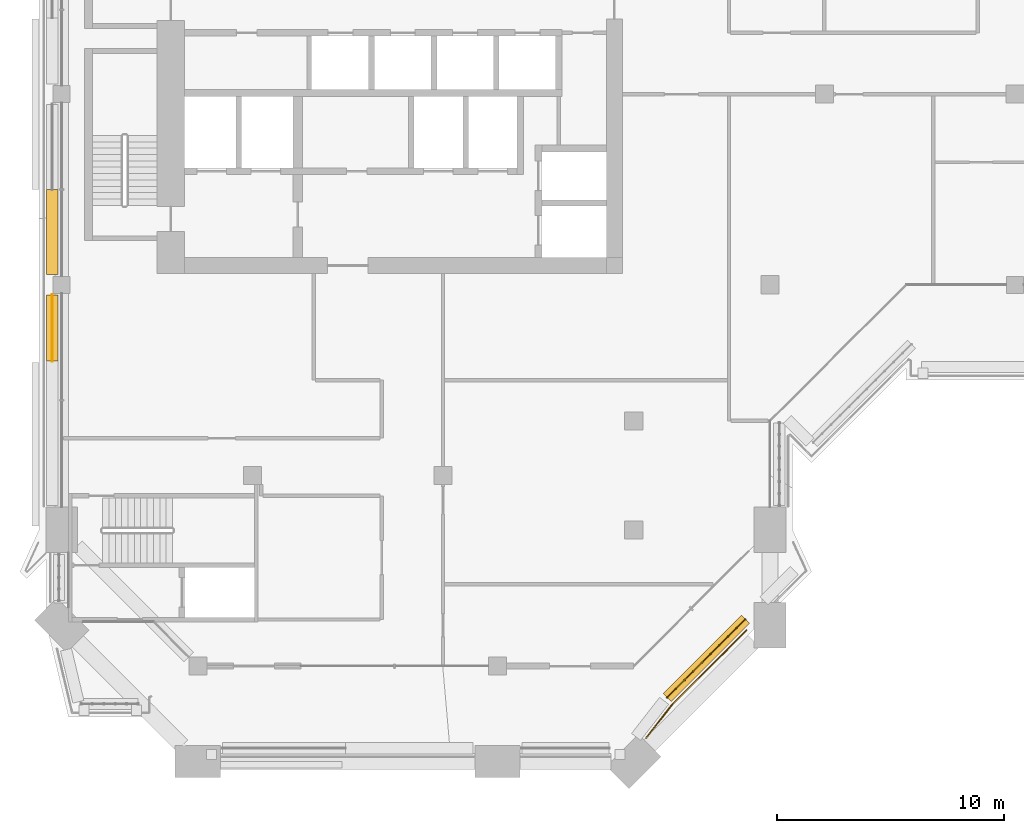
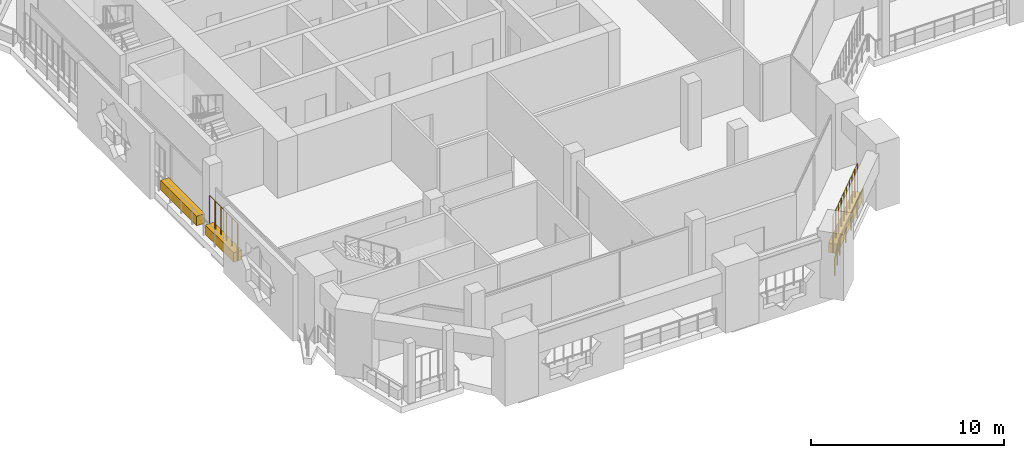
# One storey, part 16 of 22: 3 coverings, 3 railings.
"""IFC4 building model written with IfcOpenShell, lengths in metres."""

from ifc_helpers import new_model, si_unit, direction, frame, origin, origin_2d, place, context, subcontext, project, spatial, rectangle, circle, extrude, material, material_profile, profile_set, type_object, element, save


model = new_model("IFC4")

# Units and contexts
model_context = context("Model", 3, precision=1e-05, world=origin(), true_north=direction((0.0, 1.0)))
body_context = subcontext(model_context, "Body", "Model", "MODEL_VIEW")
ifc_project = project(units=[si_unit("LENGTHUNIT", "METRE"), si_unit("AREAUNIT", "SQUARE_METRE"), si_unit("VOLUMEUNIT", "CUBIC_METRE"), si_unit("PLANEANGLEUNIT", "RADIAN"), si_unit("MASSUNIT", "GRAM", prefix="KILO")], contexts=[model_context])

# Site, building, storey
site_placement = place(None, origin())
site = spatial("IfcSite", under=ifc_project, at=site_placement, CompositionType="ELEMENT")
building_placement = place(site_placement, origin())
building = spatial("IfcBuilding", under=site, at=building_placement, Name="Kawkab Arch Medical Tower", CompositionType="ELEMENT")
storey_placement = place(building_placement, frame((0.0, 0.0, 294.39990234375)))
storey = spatial("IfcBuildingStorey", under=building, at=storey_placement, Name="L68", CompositionType="ELEMENT", Elevation=294.39990234375)

# Railing
ifc_material_1 = material(Name="Bronze anodised aluminium guard", Category="aluminium")
railing_type_1 = type_object("IfcRailingType", Name="Loggia and terrace guard 1100", PredefinedType="GUARDRAIL", material=ifc_material_1)
railing_1_placement = place(storey_placement, frame((30.169921875, -40.423095703125, 0.0)))
element("IfcRailing", 1, at=railing_1_placement, inside=storey, type_object=railing_type_1, Name="Guard L68.LOG-01.1.6", PredefinedType="GUARDRAIL", context=body_context, shape_type="SweptSolid", body=[
    extrude(circle(Radius=0.02392578125, at=origin_2d()), frame((0.0, 0.0, 1.076171875), z_axis=(-0.707106781187, -0.707106781187, 0.0), x_axis=(0.707106781187, -0.707106781187, 0.0)), (0.0, 0.0, 1.0), 4.641357421875),
    extrude(circle(Radius=0.02392578125, at=origin_2d()), frame((-3.281982421875, -3.281982421875, 1.076171875), z_axis=(-0.614131825568, -0.789203459714, 0.0), x_axis=(0.789203459714, -0.614131825568, 0.0)), (0.0, 0.0, 1.0), 1.856201171875),
    extrude(circle(Radius=0.02099609375, at=origin_2d()), origin(), (0.0, 0.0, 1.0), 1.052001953125),
    extrude(circle(Radius=0.02099609375, at=origin_2d()), frame((-0.820556640625, -0.820556640625, 0.0)), (0.0, 0.0, 1.0), 1.052001953125),
    extrude(circle(Radius=0.02099609375, at=origin_2d()), frame((-1.64111328125, -1.64111328125, 0.0)), (0.0, 0.0, 1.0), 1.052001953125),
    extrude(circle(Radius=0.02099609375, at=origin_2d()), frame((-2.46142578125, -2.46142578125, 0.0)), (0.0, 0.0, 1.0), 1.052001953125),
    extrude(circle(Radius=0.02099609375, at=origin_2d()), frame((-3.281982421875, -3.281982421875, 0.0)), (0.0, 0.0, 1.0), 1.052001953125),
    extrude(circle(Radius=0.02099609375, at=origin_2d()), frame((-3.85205078125, -4.014404296875, 0.0)), (0.0, 0.0, 1.0), 1.052001953125),
    extrude(circle(Radius=0.02099609375, at=origin_2d()), frame((-4.421875, -4.746826171875, 0.0)), (0.0, 0.0, 1.0), 1.052001953125),
])

# Coverings
ifc_material_2 = material(Name="Planting soil in a precast trough", Category="concrete")
ifc_material_profile = material_profile(ifc_material_2, rectangle(XDim=0.5, YDim=0.60009765625, at=origin_2d()), Name="Trough 500x600")
ifc_profile_set = profile_set([ifc_material_profile], Name="Planting soil in a precast trough")
covering_type = type_object("IfcCoveringType", Name="Planter trough 500 x 600", PredefinedType="USERDEFINED", material=ifc_profile_set)
covering_1_placement = place(storey_placement, frame((-0.419921875, -28.56298828125, 0.300048828125), z_axis=(0.0, 1.0, 0.0), x_axis=(-1.0, 0.0, 0.0)))
element("IfcCovering", 2, at=covering_1_placement, inside=storey, type_object=covering_type, Name="Planter L68.LOG-01-01.5", ObjectType="PLANTER", PredefinedType="USERDEFINED", context=body_context, shape_type="SweptSolid", body=[
    extrude(rectangle(XDim=0.5, YDim=0.60009765625, at=origin_2d()), origin(), (0.0, 0.0, 1.0), 2.909912109375),
])
covering_2_placement = place(storey_placement, frame((-0.419921875, -24.7470703125, 0.300048828125), z_axis=(0.0, 1.0, 0.0), x_axis=(-1.0, 0.0, 0.0)))
element("IfcCovering", 3, at=covering_2_placement, inside=storey, type_object=covering_type, Name="Planter L68.LOG-01-01.6", ObjectType="PLANTER", PredefinedType="USERDEFINED", context=body_context, shape_type="SweptSolid", body=[
    extrude(rectangle(XDim=0.5, YDim=0.60009765625, at=origin_2d()), origin(), (0.0, 0.0, 1.0), 3.7470703125),
])
covering_3_placement = place(storey_placement, frame((30.1201171875, -39.93603515625, 0.300048828125), z_axis=(-0.707106781187, -0.707106781187, 0.0), x_axis=(0.707106781187, -0.707106781187, 0.0)))
element("IfcCovering", 4, at=covering_3_placement, inside=storey, type_object=covering_type, Name="Planter L68.LOG-01-01.33", ObjectType="PLANTER", PredefinedType="USERDEFINED", context=body_context, shape_type="SweptSolid", body=[
    extrude(rectangle(XDim=0.5, YDim=0.60009765625, at=origin_2d()), origin(), (0.0, 0.0, 1.0), 4.874755859375),
])

# Railings
ifc_material_3 = material(Name="Bronze anodised aluminium trellis for climbing plants", Category="aluminium")
railing_type_2 = type_object("IfcRailingType", Name="Planting trellis 2400", PredefinedType="USERDEFINED", material=ifc_material_3)
railing_2_placement = place(storey_placement, frame((-0.419921875, -28.56298828125, 0.0)))
element("IfcRailing", 5, at=railing_2_placement, inside=storey, type_object=railing_type_2, Name="Planting trellis L68.LOG-01-01.5", ObjectType="TRELLIS", PredefinedType="USERDEFINED", context=body_context, shape_type="SweptSolid", body=[
    extrude(circle(Radius=0.01513671875, at=origin_2d()), frame((0.0, 0.0, 2.384765625), z_axis=(0.0, 1.0, 0.0), x_axis=(-1.0, 0.0, 0.0)), (0.0, 0.0, 1.0), 2.909912109375),
    extrude(circle(Radius=0.030029296875, at=origin_2d()), origin(), (0.0, 0.0, 1.0), 2.369873046875),
    extrude(circle(Radius=0.030029296875, at=origin_2d()), frame((0.0, 0.58203125, 0.0)), (0.0, 0.0, 1.0), 2.369873046875),
    extrude(circle(Radius=0.030029296875, at=origin_2d()), frame((0.0, 1.1640625, 0.0)), (0.0, 0.0, 1.0), 2.369873046875),
    extrude(circle(Radius=0.030029296875, at=origin_2d()), frame((0.0, 1.745849609375, 0.0)), (0.0, 0.0, 1.0), 2.369873046875),
    extrude(circle(Radius=0.030029296875, at=origin_2d()), frame((0.0, 2.327880859375, 0.0)), (0.0, 0.0, 1.0), 2.369873046875),
    extrude(circle(Radius=0.030029296875, at=origin_2d()), frame((0.0, 2.909912109375, 0.0)), (0.0, 0.0, 1.0), 2.369873046875),
])
railing_3_placement = place(storey_placement, frame((30.1201171875, -39.93603515625, 0.0)))
element("IfcRailing", 6, at=railing_3_placement, inside=storey, type_object=railing_type_2, Name="Planting trellis L68.LOG-01-01.33", ObjectType="TRELLIS", PredefinedType="USERDEFINED", context=body_context, shape_type="SweptSolid", body=[
    extrude(circle(Radius=0.01513671875, at=origin_2d()), frame((0.0, 0.0, 2.384765625), z_axis=(-0.707106781187, -0.707106781187, 0.0), x_axis=(0.707106781187, -0.707106781187, 0.0)), (0.0, 0.0, 1.0), 4.874755859375),
    extrude(circle(Radius=0.030029296875, at=origin_2d()), origin(), (0.0, 0.0, 1.0), 2.369873046875),
    extrude(circle(Radius=0.030029296875, at=origin_2d()), frame((-0.383056640625, -0.383056640625, 0.0)), (0.0, 0.0, 1.0), 2.369873046875),
    extrude(circle(Radius=0.030029296875, at=origin_2d()), frame((-0.76611328125, -0.76611328125, 0.0)), (0.0, 0.0, 1.0), 2.369873046875),
    extrude(circle(Radius=0.030029296875, at=origin_2d()), frame((-1.14892578125, -1.14892578125, 0.0)), (0.0, 0.0, 1.0), 2.369873046875),
    extrude(circle(Radius=0.030029296875, at=origin_2d()), frame((-1.531982421875, -1.531982421875, 0.0)), (0.0, 0.0, 1.0), 2.369873046875),
    extrude(circle(Radius=0.030029296875, at=origin_2d()), frame((-1.9150390625, -1.9150390625, 0.0)), (0.0, 0.0, 1.0), 2.369873046875),
    extrude(circle(Radius=0.030029296875, at=origin_2d()), frame((-2.298095703125, -2.298095703125, 0.0)), (0.0, 0.0, 1.0), 2.369873046875),
    extrude(circle(Radius=0.030029296875, at=origin_2d()), frame((-2.680908203125, -2.680908203125, 0.0)), (0.0, 0.0, 1.0), 2.369873046875),
    extrude(circle(Radius=0.030029296875, at=origin_2d()), frame((-3.06396484375, -3.06396484375, 0.0)), (0.0, 0.0, 1.0), 2.369873046875),
    extrude(circle(Radius=0.030029296875, at=origin_2d()), frame((-3.447021484375, -3.447021484375, 0.0)), (0.0, 0.0, 1.0), 2.369873046875),
])

save(model, "model.ifc")
